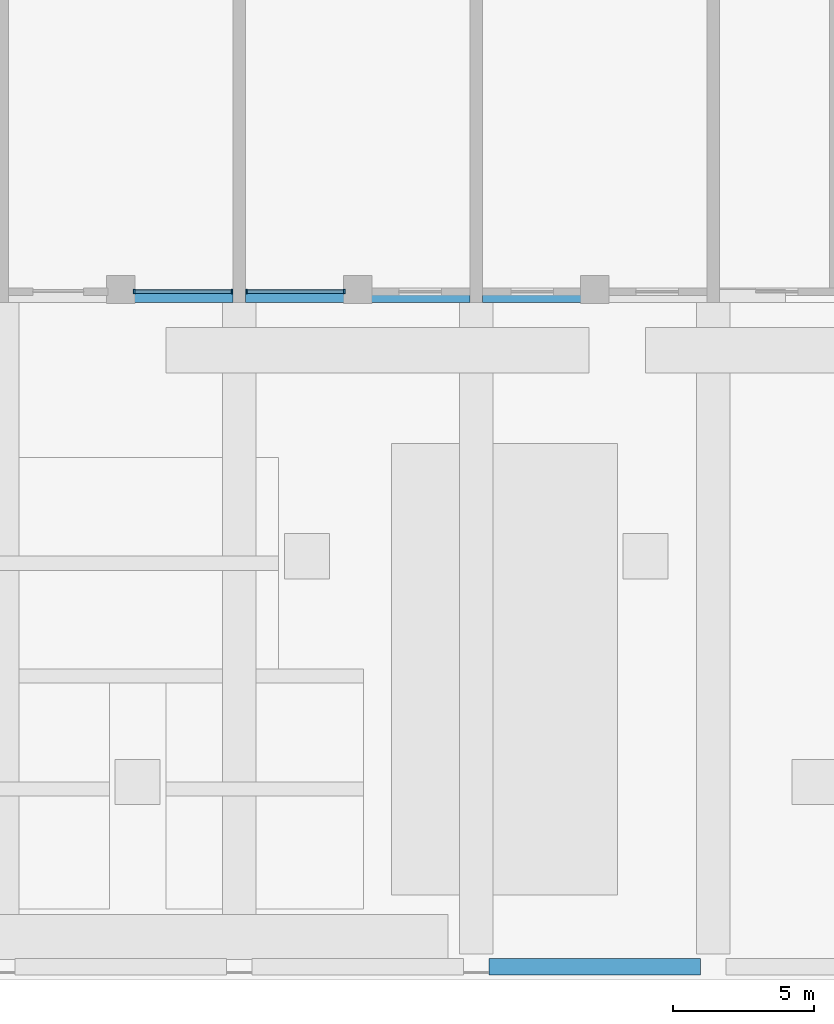
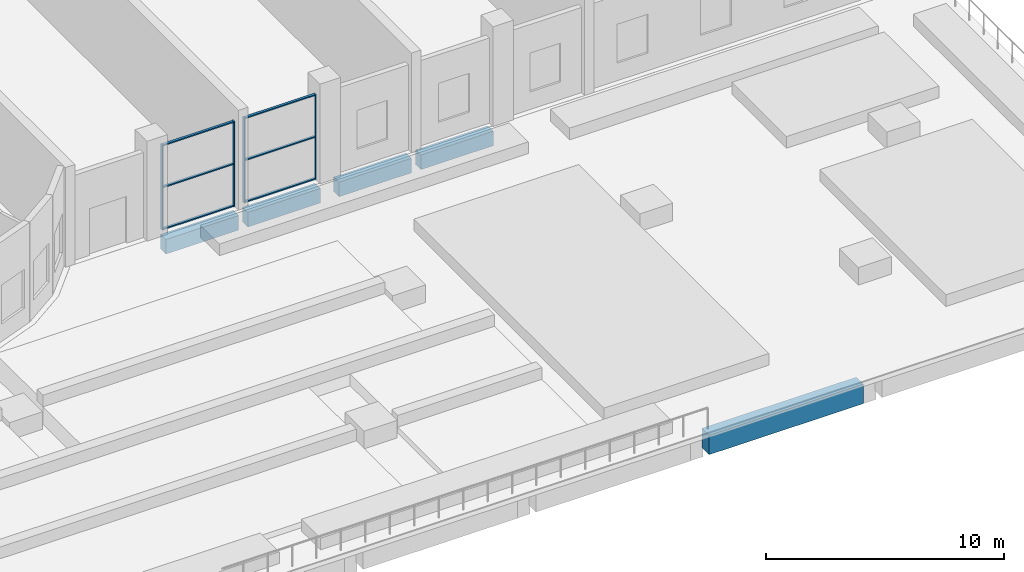
# One storey, part 6 of 20: 10 members, 5 beams, 2 elements without a shape of their own.
"""IFC4 building model written with IfcOpenShell, lengths in metres."""

from ifc_helpers import new_model, si_unit, direction, frame, origin, origin_2d, place, context, subcontext, project, spatial, rectangle, extrude, source, transform, mapped, material, layer, layer_set, material_profile, profile_set, type_object, element, aggregate, save


model = new_model("IFC4")

# Units and contexts
model_context = context("Model", 3, precision=1e-05, world=origin(), true_north=direction((0.0, 1.0)))
body_context = subcontext(model_context, "Body", "Model", "MODEL_VIEW")
ifc_project = project(units=[si_unit("LENGTHUNIT", "METRE"), si_unit("AREAUNIT", "SQUARE_METRE"), si_unit("VOLUMEUNIT", "CUBIC_METRE"), si_unit("PLANEANGLEUNIT", "RADIAN"), si_unit("MASSUNIT", "GRAM", prefix="KILO")], contexts=[model_context])

# Site, building, storey
site_placement = place(None, origin())
site = spatial("IfcSite", under=ifc_project, at=site_placement, CompositionType="ELEMENT")
building_placement = place(site_placement, origin())
building = spatial("IfcBuilding", under=site, at=building_placement, Name="Vanashikhar Sky Hotel", CompositionType="ELEMENT")
storey_placement = place(building_placement, frame((0.0, 0.0, 6.0)))
storey = spatial("IfcBuildingStorey", under=building, at=storey_placement, Name="L01", CompositionType="ELEMENT", Elevation=6.0)

# Beams
ifc_material_1 = material(Name="Concrete M50", Category="concrete")
ifc_material_profile_1 = material_profile(ifc_material_1, rectangle(XDim=0.449951171875, YDim=0.75, at=origin_2d()))
ifc_profile_set_1 = profile_set([ifc_material_profile_1], Name="RC 450x750 beam Concrete M50")
beam_type_1 = type_object("IfcBeamType", Name="RC 450x750 beam Concrete M50", PredefinedType="SPANDREL", material=ifc_profile_set_1)
shared_shape_1 = source(origin(), body_context, "Body", "SweptSolid", [
    extrude(rectangle(XDim=0.449951171875, YDim=0.75, at=origin_2d()), origin(), (0.0, 0.0, 1.0), 3.52490234375),
])
for number, where, z_axis, x_axis, name in (
    (1, (71.85009765625, 0.22509765625, -0.655029296875), (1.0, 0.0, 0.0), (0.0, 1.0, 0.0), "EB-L01-F09"),
    (2, (80.25, 0.22509765625, -0.655029296875), (1.0, 0.0, 0.0), (0.0, 1.0, 0.0), "EB-L01-F11"),
    (3, (84.22509765625, 0.22509765625, -0.655029296875), (1.0, 0.0, 0.0), (0.0, 1.0, 0.0), "EB-L01-F12"),
):
    element("IfcBeam", number, at=place(storey_placement, frame(where, z_axis=z_axis, x_axis=x_axis)), inside=storey, type_object=beam_type_1, Name=name, PredefinedType="SPANDREL", context=body_context, shape_type="MappedRepresentation", body=[
        mapped(shared_shape_1, transform((0.0, 0.0, 0.0), scale=1.0)),
    ])
shared_shape_2 = source(origin(), body_context, "Body", "SweptSolid", [
    extrude(rectangle(XDim=0.449951171875, YDim=0.75, at=origin_2d()), origin(), (0.0, 0.0, 1.0), 3.525146484375),
])
beam_1_placement = place(storey_placement, frame((75.824951171875, 0.22509765625, -0.655029296875), z_axis=(1.0, 0.0, 0.0), x_axis=(0.0, 1.0, 0.0)))
element("IfcBeam", 4, at=beam_1_placement, inside=storey, type_object=beam_type_1, Name="EB-L01-F10", PredefinedType="SPANDREL", context=body_context, shape_type="MappedRepresentation", body=[
    mapped(shared_shape_2, transform((0.0, 0.0, 0.0), scale=1.0)),
])
ifc_material_profile_2 = material_profile(ifc_material_1, rectangle(XDim=0.60009765625, YDim=1.0, at=origin_2d()))
ifc_profile_set_2 = profile_set([ifc_material_profile_2], Name="RC 600x1000 beam Concrete M50")
beam_type_2 = type_object("IfcBeamType", Name="RC 600x1000 beam Concrete M50", PredefinedType="SPANDREL", material=ifc_profile_set_2)
shared_shape_3 = source(origin(), body_context, "Body", "SweptSolid", [
    extrude(rectangle(XDim=0.60009765625, YDim=1.0, at=origin_2d()), origin(), (0.0, 0.0, 1.0), 7.5),
])
beam_2_placement = place(storey_placement, frame((84.449951171875, -23.550048828125, -0.780029296875), z_axis=(1.0, 0.0, 0.0), x_axis=(0.0, 1.0, 0.0)))
element("IfcBeam", 5, at=beam_2_placement, inside=storey, type_object=beam_type_2, Name="EB-L01-D11", PredefinedType="SPANDREL", context=body_context, shape_type="MappedRepresentation", body=[
    mapped(shared_shape_3, transform((0.0, 0.0, 0.0), scale=1.0)),
])

# Curtain wall, members
ifc_material_2 = material(Name="Glass", Category="glass")
ifc_layer = layer(ifc_material_2, 0.159912109375)
ifc_layer_set = layer_set([ifc_layer], Name="Garden lounge curtain wall")
curtain_wall_type = type_object("IfcCurtainWallType", Name="Garden lounge curtain wall", PredefinedType="NOTDEFINED", material=ifc_layer_set)
curtain_wall_1_placement = place(storey_placement, origin())
curtain_wall_1 = element("IfcCurtainWall", 6, at=curtain_wall_1_placement, inside=storey, type_object=curtain_wall_type, Name="Garden lounge curtain wall", PredefinedType="NOTDEFINED")
ifc_material_3 = material(Name="Aluminium 6063-T6", Category="aluminium")
ifc_material_profile_3 = material_profile(ifc_material_3, rectangle(XDim=0.159912109375, YDim=0.06005859375, at=origin_2d()))
ifc_profile_set_3 = profile_set([ifc_material_profile_3], Name="Aluminium 6063-T6")
member_type_1 = type_object("IfcMemberType", Name="Podium curtain wall mullion 60 x 160", PredefinedType="MULLION", material=ifc_profile_set_3)
shared_shape_4 = source(origin(), body_context, "Body", "SweptSolid", [
    extrude(rectangle(XDim=0.159912109375, YDim=0.06005859375, at=origin_2d()), origin(), (0.0, 0.0, 1.0), 4.3701171875),
])
member_1_placement = place(storey_placement, frame((71.8798828125, 0.375, 0.0), z_axis=(0.0, 0.0, 1.0), x_axis=(0.0, 1.0, 0.0)))
member_1 = element("IfcMember", 7, at=member_1_placement, type_object=member_type_1, Name="CW-2.101 mullion 1", PredefinedType="MULLION", context=body_context, shape_type="MappedRepresentation", body=[
    mapped(shared_shape_4, transform((0.0, 0.0, 0.0), scale=1.0)),
])
member_2_placement = place(storey_placement, frame((75.344970703125, 0.375, 0.0), z_axis=(0.0, 0.0, 1.0), x_axis=(0.0, 1.0, 0.0)))
member_2 = element("IfcMember", 8, at=member_2_placement, type_object=member_type_1, Name="CW-2.101 mullion 2", PredefinedType="MULLION", context=body_context, shape_type="MappedRepresentation", body=[
    mapped(shared_shape_4, transform((0.0, 0.0, 0.0), scale=1.0)),
])

curtain_wall_2_placement = place(storey_placement, origin())
curtain_wall_2 = element("IfcCurtainWall", 9, at=curtain_wall_2_placement, inside=storey, type_object=curtain_wall_type, Name="Garden lounge curtain wall", PredefinedType="NOTDEFINED")
member_3_placement = place(storey_placement, frame((75.85498046875, 0.375, 0.0), z_axis=(0.0, 0.0, 1.0), x_axis=(0.0, 1.0, 0.0)))
member_3 = element("IfcMember", 10, at=member_3_placement, type_object=member_type_1, Name="CW-2.102 mullion 1", PredefinedType="MULLION", context=body_context, shape_type="MappedRepresentation", body=[
    mapped(shared_shape_4, transform((0.0, 0.0, 0.0), scale=1.0)),
])
member_4_placement = place(storey_placement, frame((79.320068359375, 0.375, 0.0), z_axis=(0.0, 0.0, 1.0), x_axis=(0.0, 1.0, 0.0)))
member_4 = element("IfcMember", 11, at=member_4_placement, type_object=member_type_1, Name="CW-2.102 mullion 2", PredefinedType="MULLION", context=body_context, shape_type="MappedRepresentation", body=[
    mapped(shared_shape_4, transform((0.0, 0.0, 0.0), scale=1.0)),
])

# Member
ifc_material_profile_4 = material_profile(ifc_material_3, rectangle(XDim=0.1201171875, YDim=0.06005859375, at=origin_2d()))
ifc_profile_set_4 = profile_set([ifc_material_profile_4], Name="Aluminium 6063-T6")
member_type_2 = type_object("IfcMemberType", Name="Podium curtain wall transom 60 x 120", PredefinedType="USERDEFINED", material=ifc_profile_set_4)
shared_shape_5 = source(origin(), body_context, "Body", "SweptSolid", [
    extrude(rectangle(XDim=0.1201171875, YDim=0.06005859375, at=origin_2d()), origin(), (0.0, 0.0, 1.0), 3.405029296875),
])
member_5_placement = place(storey_placement, frame((71.909912109375, 0.375, 0.030029296875), z_axis=(1.0, 0.0, 0.0), x_axis=(0.0, 1.0, 0.0)))
member_5 = element("IfcMember", 12, at=member_5_placement, type_object=member_type_2, Name="CW-2.101 transom 1.1", ObjectType="TRANSOM", PredefinedType="USERDEFINED", context=body_context, shape_type="MappedRepresentation", body=[
    mapped(shared_shape_5, transform((0.0, 0.0, 0.0), scale=1.0)),
])

member_6_placement = place(storey_placement, frame((71.909912109375, 0.375, 2.18505859375), z_axis=(1.0, 0.0, 0.0), x_axis=(0.0, 1.0, 0.0)))
member_6 = element("IfcMember", 13, at=member_6_placement, type_object=member_type_2, Name="CW-2.101 transom 1.2", ObjectType="TRANSOM", PredefinedType="USERDEFINED", context=body_context, shape_type="MappedRepresentation", body=[
    mapped(shared_shape_5, transform((0.0, 0.0, 0.0), scale=1.0)),
])

member_7_placement = place(storey_placement, frame((71.909912109375, 0.375, 4.340087890625), z_axis=(1.0, 0.0, 0.0), x_axis=(0.0, 1.0, 0.0)))
member_7 = element("IfcMember", 14, at=member_7_placement, type_object=member_type_2, Name="CW-2.101 transom 1.3", ObjectType="TRANSOM", PredefinedType="USERDEFINED", context=body_context, shape_type="MappedRepresentation", body=[
    mapped(shared_shape_5, transform((0.0, 0.0, 0.0), scale=1.0)),
])

aggregate(curtain_wall_1, [member_1, member_2, member_5, member_6, member_7])

member_8_placement = place(storey_placement, frame((75.885009765625, 0.375, 0.030029296875), z_axis=(1.0, 0.0, 0.0), x_axis=(0.0, 1.0, 0.0)))
member_8 = element("IfcMember", 15, at=member_8_placement, type_object=member_type_2, Name="CW-2.102 transom 1.1", ObjectType="TRANSOM", PredefinedType="USERDEFINED", context=body_context, shape_type="MappedRepresentation", body=[
    mapped(shared_shape_5, transform((0.0, 0.0, 0.0), scale=1.0)),
])

member_9_placement = place(storey_placement, frame((75.885009765625, 0.375, 2.18505859375), z_axis=(1.0, 0.0, 0.0), x_axis=(0.0, 1.0, 0.0)))
member_9 = element("IfcMember", 16, at=member_9_placement, type_object=member_type_2, Name="CW-2.102 transom 1.2", ObjectType="TRANSOM", PredefinedType="USERDEFINED", context=body_context, shape_type="MappedRepresentation", body=[
    mapped(shared_shape_5, transform((0.0, 0.0, 0.0), scale=1.0)),
])

member_10_placement = place(storey_placement, frame((75.885009765625, 0.375, 4.340087890625), z_axis=(1.0, 0.0, 0.0), x_axis=(0.0, 1.0, 0.0)))
member_10 = element("IfcMember", 17, at=member_10_placement, type_object=member_type_2, Name="CW-2.102 transom 1.3", ObjectType="TRANSOM", PredefinedType="USERDEFINED", context=body_context, shape_type="MappedRepresentation", body=[
    mapped(shared_shape_5, transform((0.0, 0.0, 0.0), scale=1.0)),
])

aggregate(curtain_wall_2, [member_3, member_4, member_8, member_9, member_10])

save(model, "model.ifc")
